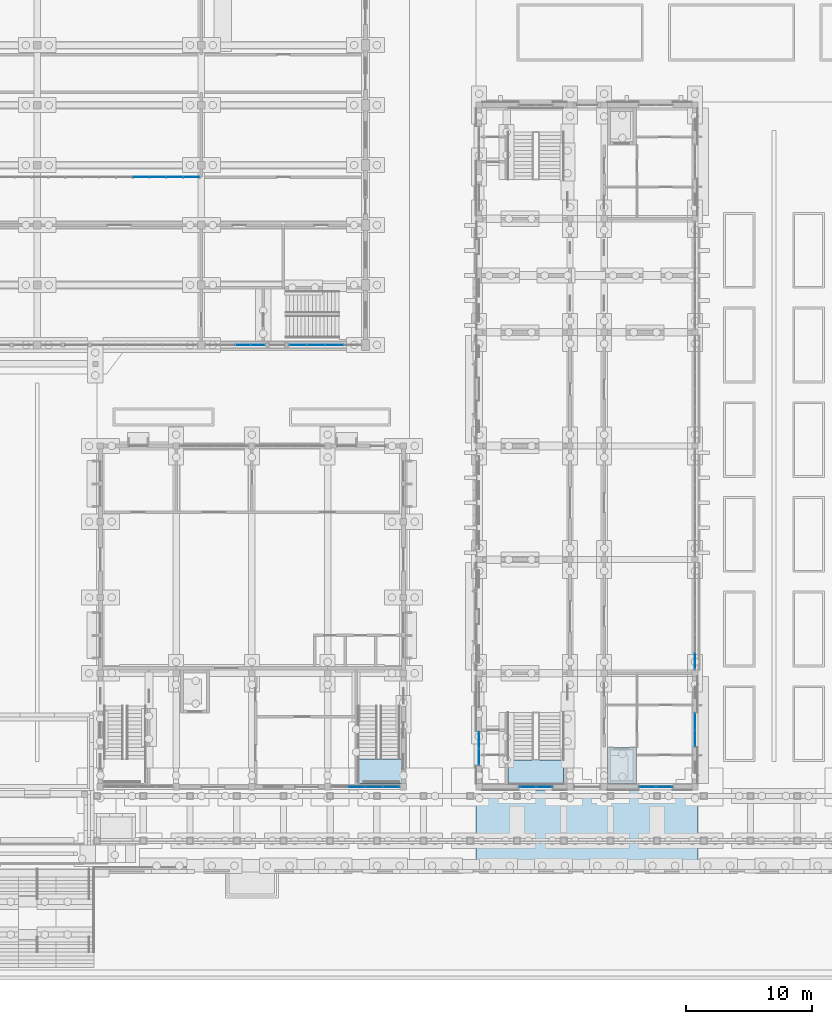
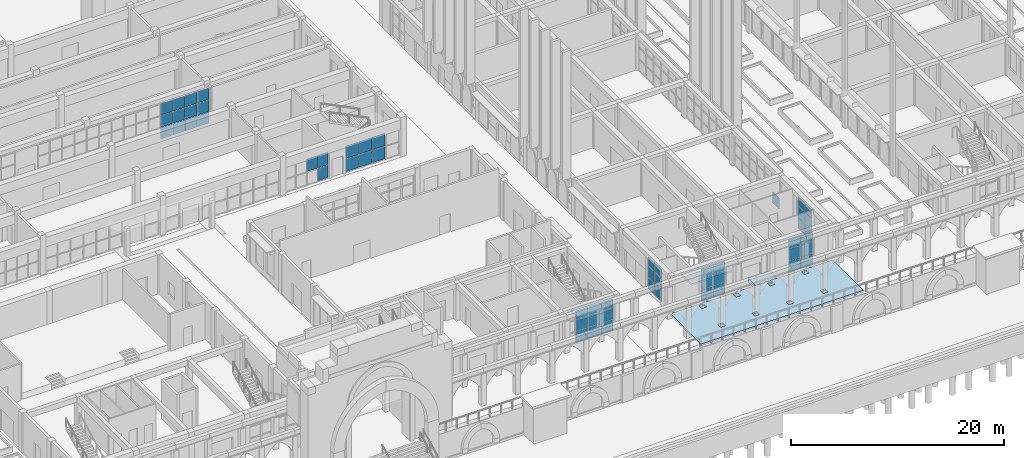
# One storey, part 43 of 161: 55 plates, 4 slabs, 11 elements without a shape of their own.
"""IFC4 building model written with IfcOpenShell, lengths in metres."""

import ifcopenshell
import ifcopenshell.guid

model = None  # the IFC model being written
_history = None  # IfcOwnerHistory: only IFC2X3 demands one
_inside = {}  # id of a spatial element -> (the spatial element, [elements in it])
_under = {}  # id of a project, library or spatial element -> (it, [spatial elements below it])
_declared = {}  # id of a project -> (the project, [libraries it declares])
_typed = {}  # id of a type object -> (the type object, [elements of that type])
_made_of = {}  # id of a material, layer set ... -> (it, [elements and type objects made of it])


def new_model(schema):
    """Start an empty IFC model of exactly this schema.

    Asked for "IFC4X3", IfcOpenShell would pick the latest addendum, in which some entities
    have other attributes; the version numbers below select the first issue.
    IFC2X3 requires an IfcOwnerHistory on every rooted entity: one is made here for all.
    """
    global model, _history
    if schema == "IFC4X3":
        model = ifcopenshell.file(schema_version=(4, 3, 0, 0))
    else:
        model = ifcopenshell.file(schema=schema)
    _inside.clear()
    _under.clear()
    _declared.clear()
    _typed.clear()
    _made_of.clear()
    _history = None
    if model.schema == "IFC2X3":
        org = make("IfcOrganization", Name="unknown")
        user = make(
            "IfcPersonAndOrganization",
            ThePerson=make("IfcPerson", FamilyName="unknown"),
            TheOrganization=org,
        )
        app = make(
            "IfcApplication",
            ApplicationDeveloper=org,
            Version="unknown",
            ApplicationFullName="unknown",
            ApplicationIdentifier="unknown",
        )
        _history = make(
            "IfcOwnerHistory",
            OwningUser=user,
            OwningApplication=app,
            ChangeAction="ADDED",
            CreationDate=0,
        )
    return model


def make(cls, **values):
    """One entity of the class cls with the attributes given. An attribute that is None is left unset."""
    return model.create_entity(
        cls, **{name: value for name, value in values.items() if value is not None}
    )


def rooted(cls, **values):
    """An entity with a GlobalId (a new one), such as an element, a storey or a relation."""
    return make(cls, GlobalId=ifcopenshell.guid.new(), OwnerHistory=_history, **values)


def si_unit(unit_type, name, prefix=None):
    """IfcSIUnit, for example si_unit("LENGTHUNIT", "METRE", prefix="MILLI")."""
    return make("IfcSIUnit", UnitType=unit_type, Prefix=prefix, Name=name)


def assignment(units):
    """IfcUnitAssignment: the units of a project."""
    return None if units is None else make("IfcUnitAssignment", Units=units)


def point(xyz):
    """IfcCartesianPoint."""
    return None if xyz is None else make("IfcCartesianPoint", Coordinates=xyz)


def direction(xyz):
    """IfcDirection."""
    return None if xyz is None else make("IfcDirection", DirectionRatios=xyz)


def frame(location, z_axis=None, x_axis=None):
    """IfcAxis2Placement3D, a coordinate frame: its origin and axes. An axis left out is left unset."""
    return make(
        "IfcAxis2Placement3D",
        Location=point(location),
        Axis=direction(z_axis),
        RefDirection=direction(x_axis),
    )


def frame_2d(location, x_axis=None):
    """IfcAxis2Placement2D, a coordinate frame in the plane: its origin and x axis."""
    return make(
        "IfcAxis2Placement2D", Location=point(location), RefDirection=direction(x_axis)
    )


def origin():
    """The frame at (0, 0, 0) with its axes left unset."""
    return frame((0.0, 0.0, 0.0))


def origin_2d():
    """The frame at (0, 0) in the plane with its x axis left unset."""
    return frame_2d((0.0, 0.0))


def place(relative_to, where):
    """IfcLocalPlacement: puts the frame where relative to a parent placement (None: the world)."""
    return make(
        "IfcLocalPlacement", PlacementRelTo=relative_to, RelativePlacement=where
    )


def context(
    kind, dimensions, precision=None, world=None, true_north=None, identifier=None
):
    """IfcGeometricRepresentationContext, for example the 3D "Model" context."""
    return make(
        "IfcGeometricRepresentationContext",
        ContextIdentifier=identifier,
        ContextType=kind,
        CoordinateSpaceDimension=dimensions,
        Precision=precision,
        WorldCoordinateSystem=world,
        TrueNorth=true_north,
    )


def subcontext(parent, identifier, kind, view, scale=None):
    """IfcGeometricRepresentationSubContext, for example "Body" below "Model"."""
    return make(
        "IfcGeometricRepresentationSubContext",
        ContextIdentifier=identifier,
        ContextType=kind,
        ParentContext=parent,
        TargetScale=scale,
        TargetView=view,
    )


def project(units=None, contexts=None):
    """IfcProject with its units and contexts."""
    return rooted(
        "IfcProject",
        Name="project",
        RepresentationContexts=contexts,
        UnitsInContext=assignment(units),
    )


def spatial(cls, under=None, at=None, **own):
    """A site, building, storey or space (cls), placed at a placement, below another one or the project."""
    s = rooted(cls, ObjectPlacement=at, **own)
    if under is not None:
        _under.setdefault(under.id(), (under, []))[1].append(s)
    return s


def polyline(points):
    """IfcPolyline through the points."""
    return make("IfcPolyline", Points=[point(p) for p in points])


def profile(cls, at=None, kind="AREA", **sizes):
    """A parametric profile (cls). Its sizes go by their IFC names, for example OverallWidth=200.0."""
    return make(cls, ProfileType=kind, Position=at, **sizes)


def rectangle(**sizes):
    """IfcRectangleProfileDef."""
    return profile("IfcRectangleProfileDef", **sizes)


def outline(outer, holes=None, kind="AREA"):
    """IfcArbitraryClosedProfileDef: a profile drawn as a closed curve; with holes, ...WithVoids."""
    if holes is None:
        return make("IfcArbitraryClosedProfileDef", ProfileType=kind, OuterCurve=outer)
    return make(
        "IfcArbitraryProfileDefWithVoids",
        ProfileType=kind,
        OuterCurve=outer,
        InnerCurves=holes,
    )


def extrude(swept, where, along, depth):
    """IfcExtrudedAreaSolid: the profile swept, set in the frame where, extruded along a direction by depth."""
    return make(
        "IfcExtrudedAreaSolid",
        SweptArea=swept,
        Position=where,
        ExtrudedDirection=direction(along),
        Depth=depth,
    )


def shape(context_of_items, identifier, shape_type, items):
    """IfcShapeRepresentation: the items that make up one representation, for example the "Body"."""
    return make(
        "IfcShapeRepresentation",
        ContextOfItems=context_of_items,
        RepresentationIdentifier=identifier,
        RepresentationType=shape_type,
        Items=items,
    )


def material(Name=None, Category=None):
    """IfcMaterial."""
    return make("IfcMaterial", Name=Name, Category=Category)


def layer(
    of_material, thickness, ventilated=None, Name=None, Category=None, Priority=None
):
    """IfcMaterialLayer: one layer of a wall or slab, of a material (None: an air gap)."""
    return make(
        "IfcMaterialLayer",
        Material=of_material,
        LayerThickness=thickness,
        IsVentilated=ventilated,
        Name=Name,
        Category=Category,
        Priority=Priority,
    )


def layer_set(layers, Name=None):
    """IfcMaterialLayerSet."""
    return make("IfcMaterialLayerSet", MaterialLayers=layers, LayerSetName=Name)


def made_of(thing, what):
    """Note that an element or type object is made of a material, layer set ...; save() writes the relation."""
    if what is not None:
        _made_of.setdefault(what.id(), (what, []))[1].append(thing)
    return thing


def type_object(cls, material=None, **own):
    """A type object (cls), such as IfcWallType, which elements share."""
    return made_of(rooted(cls, **own), material)


def element(
    cls,
    number,
    at=None,
    inside=None,
    cuts=None,
    type_object=None,
    material=None,
    context=None,
    identifier="Body",
    shape_type=None,
    held_by="IfcProductDefinitionShape",
    body=None,
    shapes=None,
    **own,
):
    """One element of the class cls, such as IfcWall. Its Tag is "e" and its number.

    at: its placement. inside: the storey or other place that contains it. cuts: it is an
    opening in that element (IfcRelVoidsElement). A single representation is given by context,
    identifier, shape_type and body (its items); several are given by shapes. held_by: the class
    of the entity that holds the representations. save() writes the other relations.
    """
    e = rooted(cls, Tag="e%d" % number, ObjectPlacement=at, **own)
    if body is not None:
        shapes = [shape(context, identifier, shape_type, body)]
    if shapes is not None:
        e.Representation = make(held_by, Representations=shapes)
    if inside is not None:
        _inside.setdefault(inside.id(), (inside, []))[1].append(e)
    if cuts is not None:
        rooted(
            "IfcRelVoidsElement", RelatingBuildingElement=cuts, RelatedOpeningElement=e
        )
    if type_object is not None:
        _typed.setdefault(type_object.id(), (type_object, []))[1].append(e)
    return made_of(e, material)


def aggregate(whole, parts):
    """IfcRelAggregates: a whole, such as a stair, and the parts it consists of."""
    return rooted("IfcRelAggregates", RelatingObject=whole, RelatedObjects=parts)


def save(model, path):
    """Write the relations noted so far, then the file.

    IfcRelAggregates (storeys below a building ...), IfcRelContainedInSpatialStructure (elements
    in a storey), IfcRelDefinesByType, IfcRelAssociatesMaterial and IfcRelDeclares: one each for
    every whole, place, type object, material and project.
    """
    for whole, parts in _under.values():
        aggregate(whole, parts)
    for where, things in _inside.values():
        rooted(
            "IfcRelContainedInSpatialStructure",
            RelatedElements=things,
            RelatingStructure=where,
        )
    for kind, things in _typed.values():
        rooted("IfcRelDefinesByType", RelatedObjects=things, RelatingType=kind)
    for what, things in _made_of.values():
        rooted("IfcRelAssociatesMaterial", RelatedObjects=things, RelatingMaterial=what)
    for by, libraries in _declared.values():
        rooted("IfcRelDeclares", RelatingContext=by, RelatedDefinitions=libraries)
    model.write(path)


model = new_model("IFC4")

# Units and contexts
model_context = context("Model", 3, precision=1e-05, world=origin(), true_north=direction((0.0, 1.0)))
body_context = subcontext(model_context, "Body", "Model", "MODEL_VIEW")
ifc_project = project(units=[si_unit("LENGTHUNIT", "METRE"), si_unit("AREAUNIT", "SQUARE_METRE"), si_unit("VOLUMEUNIT", "CUBIC_METRE"), si_unit("PLANEANGLEUNIT", "RADIAN"), si_unit("MASSUNIT", "GRAM", prefix="KILO")], contexts=[model_context])

# Site, building, storey
site_placement = place(None, origin())
site = spatial("IfcSite", under=ifc_project, at=site_placement, CompositionType="ELEMENT")
building_placement = place(site_placement, origin())
building = spatial("IfcBuilding", under=site, at=building_placement, Name="Elbe Cascade School", CompositionType="ELEMENT")
storey_placement = place(building_placement, origin())
storey = spatial("IfcBuildingStorey", under=building, at=storey_placement, Name="L00", CompositionType="ELEMENT", Elevation=0.0)

# Stair, slab
ifc_material_1 = material(Name="Concrete C30/37", Category="concrete")
stair_type_1 = type_object("IfcStairType", Name="Bar stair RC 150", PredefinedType="HALF_TURN_STAIR", material=ifc_material_1)
stair_1_placement = place(storey_placement, origin())
stair_1 = element("IfcStair", 1, at=stair_1_placement, inside=storey, type_object=stair_type_1, Name="Stair A0.S", PredefinedType="HALF_TURN_STAIR")
ifc_material_2 = material(Name="Concrete C30/37", Category="concrete")
ifc_layer_1 = layer(ifc_material_2, 0.199951171875)
ifc_layer_set_1 = layer_set([ifc_layer_1], Name="Concrete C30/37")
slab_type_1 = type_object("IfcSlabType", Name="Bar stair landing RC 200", PredefinedType="LANDING", material=ifc_layer_set_1)
slab_1_placement = place(storey_placement, frame((0.0, 0.0, 2.050048828125)))
slab_1 = element("IfcSlab", 2, at=slab_1_placement, type_object=slab_type_1, Name="ST3 landing 1", PredefinedType="LANDING", context=body_context, shape_type="SweptSolid", body=[
    extrude(outline(polyline([(71.300048828125, 6.179931640625), (75.699951171875, 6.179931640625), (75.699951171875, 8.1298828125), (71.300048828125, 8.1298828125), (71.300048828125, 6.179931640625)])), origin(), (0.0, 0.0, 1.0), 0.199951171875),
])
aggregate(stair_1, [slab_1])

# Curtain wall, plates
ifc_material_3 = material(Name="Aluminium frame with double glazing, bronze anodised", Category="aluminium")
ifc_layer_2 = layer(ifc_material_3, 0.199951171875)
ifc_layer_set_2 = layer_set([ifc_layer_2], Name="Aluminium frame with double glazing, bronze anodised")
curtain_wall_type_1 = type_object("IfcCurtainWallType", Name="Bars envelope Curtain wall, aluminium, bronze anodised, ground floor tall run", PredefinedType="NOTDEFINED", material=ifc_layer_set_2)
curtain_wall_1_placement = place(storey_placement, origin())
curtain_wall_1 = element("IfcCurtainWall", 3, at=curtain_wall_1_placement, inside=storey, type_object=curtain_wall_type_1, Name="Curtain wall CW3 A.L00.w1", PredefinedType="NOTDEFINED")
ifc_material_4 = material(Name="Glass - double glazed low-E", Category="glass")
ifc_layer_3 = layer(ifc_material_4, 0.035888671875)
ifc_layer_set_3 = layer_set([ifc_layer_3], Name="Glass - double glazed low-E")
plate_type_1 = type_object("IfcPlateType", Name="Bars envelope Curtain wall glazing panel 36 mm, double glazed, ground floor tall run", PredefinedType="CURTAIN_PANEL", material=ifc_layer_set_3)
plate_1_placement = place(storey_placement, frame((69.0, 8.3798828125, 0.06005859375), z_axis=(0.0, 0.0, 1.0), x_axis=(0.0, 1.0, 0.0)))
plate_1 = element("IfcPlate", 4, at=plate_1_placement, type_object=plate_type_1, Name="CW3 panel 1.1", PredefinedType="CURTAIN_PANEL", context=body_context, shape_type="SweptSolid", body=[
    extrude(rectangle(XDim=1.260009765625, YDim=0.035888671875, at=origin_2d()), origin(), (0.0, 0.0, 1.0), 1.260009765625),
])
plate_2_placement = place(storey_placement, frame((69.0, 8.3798828125, 1.3798828125), z_axis=(0.0, 0.0, 1.0), x_axis=(0.0, 1.0, 0.0)))
plate_2 = element("IfcPlate", 5, at=plate_2_placement, type_object=plate_type_1, Name="CW3 panel 1.2", PredefinedType="CURTAIN_PANEL", context=body_context, shape_type="SweptSolid", body=[
    extrude(rectangle(XDim=1.260009765625, YDim=0.035888671875, at=origin_2d()), origin(), (0.0, 0.0, 1.0), 1.2900390625),
])
plate_3_placement = place(storey_placement, frame((69.0, 8.3798828125, 2.72998046875), z_axis=(0.0, 0.0, 1.0), x_axis=(0.0, 1.0, 0.0)))
plate_3 = element("IfcPlate", 6, at=plate_3_placement, type_object=plate_type_1, Name="CW3 panel 1.3", PredefinedType="CURTAIN_PANEL", context=body_context, shape_type="SweptSolid", body=[
    extrude(rectangle(XDim=1.260009765625, YDim=0.035888671875, at=origin_2d()), origin(), (0.0, 0.0, 1.0), 0.9599609375),
])
plate_4_placement = place(storey_placement, frame((69.0, 9.699951171875, 0.06005859375), z_axis=(0.0, 0.0, 1.0), x_axis=(0.0, 1.0, 0.0)))
plate_4 = element("IfcPlate", 7, at=plate_4_placement, type_object=plate_type_1, Name="CW3 panel 2.1", PredefinedType="CURTAIN_PANEL", context=body_context, shape_type="SweptSolid", body=[
    extrude(rectangle(XDim=1.260009765625, YDim=0.035888671875, at=origin_2d()), origin(), (0.0, 0.0, 1.0), 1.260009765625),
])
plate_5_placement = place(storey_placement, frame((69.0, 9.699951171875, 1.3798828125), z_axis=(0.0, 0.0, 1.0), x_axis=(0.0, 1.0, 0.0)))
plate_5 = element("IfcPlate", 8, at=plate_5_placement, type_object=plate_type_1, Name="CW3 panel 2.2", PredefinedType="CURTAIN_PANEL", context=body_context, shape_type="SweptSolid", body=[
    extrude(rectangle(XDim=1.260009765625, YDim=0.035888671875, at=origin_2d()), origin(), (0.0, 0.0, 1.0), 1.2900390625),
])
plate_6_placement = place(storey_placement, frame((69.0, 9.699951171875, 2.72998046875), z_axis=(0.0, 0.0, 1.0), x_axis=(0.0, 1.0, 0.0)))
plate_6 = element("IfcPlate", 9, at=plate_6_placement, type_object=plate_type_1, Name="CW3 panel 2.3", PredefinedType="CURTAIN_PANEL", context=body_context, shape_type="SweptSolid", body=[
    extrude(rectangle(XDim=1.260009765625, YDim=0.035888671875, at=origin_2d()), origin(), (0.0, 0.0, 1.0), 0.9599609375),
])
aggregate(curtain_wall_1, [plate_1, plate_2, plate_3, plate_4, plate_5, plate_6])

curtain_wall_2_placement = place(storey_placement, origin())
curtain_wall_2 = element("IfcCurtainWall", 10, at=curtain_wall_2_placement, inside=storey, type_object=curtain_wall_type_1, Name="Curtain wall CW3 A.L00.e1", PredefinedType="NOTDEFINED")
plate_7_placement = place(storey_placement, frame((86.10009765625, 11.159912109375, 0.06005859375), z_axis=(0.0, 0.0, 1.0), x_axis=(0.0, -1.0, 0.0)))
plate_7 = element("IfcPlate", 11, at=plate_7_placement, type_object=plate_type_1, Name="CW3 panel 1.1", PredefinedType="CURTAIN_PANEL", context=body_context, shape_type="SweptSolid", body=[
    extrude(rectangle(XDim=1.260009765625, YDim=0.035888671875, at=origin_2d()), origin(), (0.0, 0.0, 1.0), 1.260009765625),
])
plate_8_placement = place(storey_placement, frame((86.10009765625, 11.159912109375, 1.3798828125), z_axis=(0.0, 0.0, 1.0), x_axis=(0.0, -1.0, 0.0)))
plate_8 = element("IfcPlate", 12, at=plate_8_placement, type_object=plate_type_1, Name="CW3 panel 1.2", PredefinedType="CURTAIN_PANEL", context=body_context, shape_type="SweptSolid", body=[
    extrude(rectangle(XDim=1.260009765625, YDim=0.035888671875, at=origin_2d()), origin(), (0.0, 0.0, 1.0), 1.2900390625),
])
plate_9_placement = place(storey_placement, frame((86.10009765625, 11.159912109375, 2.72998046875), z_axis=(0.0, 0.0, 1.0), x_axis=(0.0, -1.0, 0.0)))
plate_9 = element("IfcPlate", 13, at=plate_9_placement, type_object=plate_type_1, Name="CW3 panel 1.3", PredefinedType="CURTAIN_PANEL", context=body_context, shape_type="SweptSolid", body=[
    extrude(rectangle(XDim=1.260009765625, YDim=0.035888671875, at=origin_2d()), origin(), (0.0, 0.0, 1.0), 0.9599609375),
])
plate_10_placement = place(storey_placement, frame((86.10009765625, 9.840087890625, 0.06005859375), z_axis=(0.0, 0.0, 1.0), x_axis=(0.0, -1.0, 0.0)))
plate_10 = element("IfcPlate", 14, at=plate_10_placement, type_object=plate_type_1, Name="CW3 panel 2.1", PredefinedType="CURTAIN_PANEL", context=body_context, shape_type="SweptSolid", body=[
    extrude(rectangle(XDim=1.260009765625, YDim=0.035888671875, at=origin_2d()), origin(), (0.0, 0.0, 1.0), 1.260009765625),
])
plate_11_placement = place(storey_placement, frame((86.10009765625, 9.840087890625, 1.3798828125), z_axis=(0.0, 0.0, 1.0), x_axis=(0.0, -1.0, 0.0)))
plate_11 = element("IfcPlate", 15, at=plate_11_placement, type_object=plate_type_1, Name="CW3 panel 2.2", PredefinedType="CURTAIN_PANEL", context=body_context, shape_type="SweptSolid", body=[
    extrude(rectangle(XDim=1.260009765625, YDim=0.035888671875, at=origin_2d()), origin(), (0.0, 0.0, 1.0), 1.2900390625),
])
plate_12_placement = place(storey_placement, frame((86.10009765625, 9.840087890625, 2.72998046875), z_axis=(0.0, 0.0, 1.0), x_axis=(0.0, -1.0, 0.0)))
plate_12 = element("IfcPlate", 16, at=plate_12_placement, type_object=plate_type_1, Name="CW3 panel 2.3", PredefinedType="CURTAIN_PANEL", context=body_context, shape_type="SweptSolid", body=[
    extrude(rectangle(XDim=1.260009765625, YDim=0.035888671875, at=origin_2d()), origin(), (0.0, 0.0, 1.0), 0.9599609375),
])
aggregate(curtain_wall_2, [plate_7, plate_8, plate_9, plate_10, plate_11, plate_12])

# Curtain wall, plate
curtain_wall_3_placement = place(storey_placement, origin())
curtain_wall_3 = element("IfcCurtainWall", 17, at=curtain_wall_3_placement, inside=storey, type_object=curtain_wall_type_1, Name="Curtain wall CW3 A.L00.e2", PredefinedType="NOTDEFINED")
plate_13_placement = place(storey_placement, frame((86.10009765625, 15.973388671875, 0.06005859375), z_axis=(0.0, 0.0, 1.0), x_axis=(0.0, -1.0, 0.0)))
plate_13 = element("IfcPlate", 18, at=plate_13_placement, type_object=plate_type_1, Name="CW3 panel 6.1", PredefinedType="CURTAIN_PANEL", context=body_context, shape_type="SweptSolid", body=[
    extrude(rectangle(XDim=1.32666015625, YDim=0.035888671875, at=origin_2d()), origin(), (0.0, 0.0, 1.0), 1.260009765625),
])
aggregate(curtain_wall_3, [plate_13])

# Curtain wall, plates
curtain_wall_4_placement = place(storey_placement, origin())
curtain_wall_4 = element("IfcCurtainWall", 19, at=curtain_wall_4_placement, inside=storey, type_object=curtain_wall_type_1, Name="Curtain wall CW3 A.L00.s1", PredefinedType="NOTDEFINED")
plate_14_placement = place(storey_placement, frame((74.159912109375, 6.0, 0.06005859375), z_axis=(0.0, 0.0, 1.0), x_axis=(-1.0, 0.0, 0.0)))
plate_14 = element("IfcPlate", 20, at=plate_14_placement, type_object=plate_type_1, Name="CW3 panel 1.1", PredefinedType="CURTAIN_PANEL", context=body_context, shape_type="SweptSolid", body=[
    extrude(rectangle(XDim=1.260009765625, YDim=0.035888671875, at=origin_2d()), origin(), (0.0, 0.0, 1.0), 1.260009765625),
])
plate_15_placement = place(storey_placement, frame((74.159912109375, 6.0, 1.3798828125), z_axis=(0.0, 0.0, 1.0), x_axis=(-1.0, 0.0, 0.0)))
plate_15 = element("IfcPlate", 21, at=plate_15_placement, type_object=plate_type_1, Name="CW3 panel 1.2", PredefinedType="CURTAIN_PANEL", context=body_context, shape_type="SweptSolid", body=[
    extrude(rectangle(XDim=1.260009765625, YDim=0.035888671875, at=origin_2d()), origin(), (0.0, 0.0, 1.0), 1.2900390625),
])
plate_16_placement = place(storey_placement, frame((74.159912109375, 6.0, 2.72998046875), z_axis=(0.0, 0.0, 1.0), x_axis=(-1.0, 0.0, 0.0)))
plate_16 = element("IfcPlate", 22, at=plate_16_placement, type_object=plate_type_1, Name="CW3 panel 1.3", PredefinedType="CURTAIN_PANEL", context=body_context, shape_type="SweptSolid", body=[
    extrude(rectangle(XDim=1.260009765625, YDim=0.035888671875, at=origin_2d()), origin(), (0.0, 0.0, 1.0), 1.010009765625),
])
plate_17_placement = place(storey_placement, frame((72.840087890625, 6.0, 0.06005859375), z_axis=(0.0, 0.0, 1.0), x_axis=(-1.0, 0.0, 0.0)))
plate_17 = element("IfcPlate", 23, at=plate_17_placement, type_object=plate_type_1, Name="CW3 panel 2.1", PredefinedType="CURTAIN_PANEL", context=body_context, shape_type="SweptSolid", body=[
    extrude(rectangle(XDim=1.260009765625, YDim=0.035888671875, at=origin_2d()), origin(), (0.0, 0.0, 1.0), 1.260009765625),
])
plate_18_placement = place(storey_placement, frame((72.840087890625, 6.0, 1.3798828125), z_axis=(0.0, 0.0, 1.0), x_axis=(-1.0, 0.0, 0.0)))
plate_18 = element("IfcPlate", 24, at=plate_18_placement, type_object=plate_type_1, Name="CW3 panel 2.2", PredefinedType="CURTAIN_PANEL", context=body_context, shape_type="SweptSolid", body=[
    extrude(rectangle(XDim=1.260009765625, YDim=0.035888671875, at=origin_2d()), origin(), (0.0, 0.0, 1.0), 1.2900390625),
])
plate_19_placement = place(storey_placement, frame((72.840087890625, 6.0, 2.72998046875), z_axis=(0.0, 0.0, 1.0), x_axis=(-1.0, 0.0, 0.0)))
plate_19 = element("IfcPlate", 25, at=plate_19_placement, type_object=plate_type_1, Name="CW3 panel 2.3", PredefinedType="CURTAIN_PANEL", context=body_context, shape_type="SweptSolid", body=[
    extrude(rectangle(XDim=1.260009765625, YDim=0.035888671875, at=origin_2d()), origin(), (0.0, 0.0, 1.0), 1.010009765625),
])
aggregate(curtain_wall_4, [plate_14, plate_15, plate_16, plate_17, plate_18, plate_19])

curtain_wall_5_placement = place(storey_placement, origin())
curtain_wall_5 = element("IfcCurtainWall", 26, at=curtain_wall_5_placement, inside=storey, type_object=curtain_wall_type_1, Name="Curtain wall CW3 A.L00.s3", PredefinedType="NOTDEFINED")
plate_20_placement = place(storey_placement, frame((83.659912109375, 6.0, 0.06005859375), z_axis=(0.0, 0.0, 1.0), x_axis=(-1.0, 0.0, 0.0)))
plate_20 = element("IfcPlate", 27, at=plate_20_placement, type_object=plate_type_1, Name="CW3 panel 1.1", PredefinedType="CURTAIN_PANEL", context=body_context, shape_type="SweptSolid", body=[
    extrude(rectangle(XDim=1.260009765625, YDim=0.035888671875, at=origin_2d()), origin(), (0.0, 0.0, 1.0), 1.260009765625),
])
plate_21_placement = place(storey_placement, frame((83.659912109375, 6.0, 1.3798828125), z_axis=(0.0, 0.0, 1.0), x_axis=(-1.0, 0.0, 0.0)))
plate_21 = element("IfcPlate", 28, at=plate_21_placement, type_object=plate_type_1, Name="CW3 panel 1.2", PredefinedType="CURTAIN_PANEL", context=body_context, shape_type="SweptSolid", body=[
    extrude(rectangle(XDim=1.260009765625, YDim=0.035888671875, at=origin_2d()), origin(), (0.0, 0.0, 1.0), 1.2900390625),
])
plate_22_placement = place(storey_placement, frame((83.659912109375, 6.0, 2.72998046875), z_axis=(0.0, 0.0, 1.0), x_axis=(-1.0, 0.0, 0.0)))
plate_22 = element("IfcPlate", 29, at=plate_22_placement, type_object=plate_type_1, Name="CW3 panel 1.3", PredefinedType="CURTAIN_PANEL", context=body_context, shape_type="SweptSolid", body=[
    extrude(rectangle(XDim=1.260009765625, YDim=0.035888671875, at=origin_2d()), origin(), (0.0, 0.0, 1.0), 1.010009765625),
])
plate_23_placement = place(storey_placement, frame((82.340087890625, 6.0, 0.06005859375), z_axis=(0.0, 0.0, 1.0), x_axis=(-1.0, 0.0, 0.0)))
plate_23 = element("IfcPlate", 30, at=plate_23_placement, type_object=plate_type_1, Name="CW3 panel 2.1", PredefinedType="CURTAIN_PANEL", context=body_context, shape_type="SweptSolid", body=[
    extrude(rectangle(XDim=1.260009765625, YDim=0.035888671875, at=origin_2d()), origin(), (0.0, 0.0, 1.0), 1.260009765625),
])
plate_24_placement = place(storey_placement, frame((82.340087890625, 6.0, 1.3798828125), z_axis=(0.0, 0.0, 1.0), x_axis=(-1.0, 0.0, 0.0)))
plate_24 = element("IfcPlate", 31, at=plate_24_placement, type_object=plate_type_1, Name="CW3 panel 2.2", PredefinedType="CURTAIN_PANEL", context=body_context, shape_type="SweptSolid", body=[
    extrude(rectangle(XDim=1.260009765625, YDim=0.035888671875, at=origin_2d()), origin(), (0.0, 0.0, 1.0), 1.2900390625),
])
plate_25_placement = place(storey_placement, frame((82.340087890625, 6.0, 2.72998046875), z_axis=(0.0, 0.0, 1.0), x_axis=(-1.0, 0.0, 0.0)))
plate_25 = element("IfcPlate", 32, at=plate_25_placement, type_object=plate_type_1, Name="CW3 panel 2.3", PredefinedType="CURTAIN_PANEL", context=body_context, shape_type="SweptSolid", body=[
    extrude(rectangle(XDim=1.260009765625, YDim=0.035888671875, at=origin_2d()), origin(), (0.0, 0.0, 1.0), 1.010009765625),
])
aggregate(curtain_wall_5, [plate_20, plate_21, plate_22, plate_23, plate_24, plate_25])

ifc_material_5 = material(Name="Cafe curtain wall")
curtain_wall_type_2 = type_object("IfcCurtainWallType", Name="Cafe curtain wall", PredefinedType="NOTDEFINED", material=ifc_material_5)
curtain_wall_6_placement = place(storey_placement, origin())
curtain_wall_6 = element("IfcCurtainWall", 33, at=curtain_wall_6_placement, inside=storey, type_object=curtain_wall_type_2, Name="Curtain wall CW1 DI.L00.cw.s3", PredefinedType="NOTDEFINED")
ifc_material_6 = material(Name="Glass - double glazed low-E", Category="glass")
ifc_layer_4 = layer(ifc_material_6, 0.028076171875)
ifc_layer_set_4 = layer_set([ifc_layer_4], Name="Glass - double glazed low-E")
plate_type_2 = type_object("IfcPlateType", Name="Cafe curtain wall glazing panel 28", PredefinedType="CURTAIN_PANEL", material=ifc_layer_set_4)
plate_26_placement = place(storey_placement, frame((59.3125, 6.0, 0.06005859375), z_axis=(0.0, 0.0, 1.0), x_axis=(1.0, 0.0, 0.0)))
plate_26 = element("IfcPlate", 34, at=plate_26_placement, type_object=plate_type_2, Name="CW1 panel 2.1", PredefinedType="CURTAIN_PANEL", context=body_context, shape_type="SweptSolid", body=[
    extrude(rectangle(XDim=1.31494140625, YDim=0.028076171875, at=origin_2d()), origin(), (0.0, 0.0, 1.0), 1.260009765625),
])
plate_27_placement = place(storey_placement, frame((59.3125, 6.0, 1.3798828125), z_axis=(0.0, 0.0, 1.0), x_axis=(1.0, 0.0, 0.0)))
plate_27 = element("IfcPlate", 35, at=plate_27_placement, type_object=plate_type_2, Name="CW1 panel 2.2", PredefinedType="CURTAIN_PANEL", context=body_context, shape_type="SweptSolid", body=[
    extrude(rectangle(XDim=1.31494140625, YDim=0.028076171875, at=origin_2d()), origin(), (0.0, 0.0, 1.0), 1.2900390625),
])
plate_28_placement = place(storey_placement, frame((59.3125, 6.0, 2.72998046875), z_axis=(0.0, 0.0, 1.0), x_axis=(1.0, 0.0, 0.0)))
plate_28 = element("IfcPlate", 36, at=plate_28_placement, type_object=plate_type_2, Name="CW1 panel 2.3", PredefinedType="CURTAIN_PANEL", context=body_context, shape_type="SweptSolid", body=[
    extrude(rectangle(XDim=1.31494140625, YDim=0.028076171875, at=origin_2d()), origin(), (0.0, 0.0, 1.0), 0.9599609375),
])
plate_29_placement = place(storey_placement, frame((60.6875, 6.0, 0.06005859375), z_axis=(0.0, 0.0, 1.0), x_axis=(1.0, 0.0, 0.0)))
plate_29 = element("IfcPlate", 37, at=plate_29_placement, type_object=plate_type_2, Name="CW1 panel 3.1", PredefinedType="CURTAIN_PANEL", context=body_context, shape_type="SweptSolid", body=[
    extrude(rectangle(XDim=1.31494140625, YDim=0.028076171875, at=origin_2d()), origin(), (0.0, 0.0, 1.0), 1.260009765625),
])
plate_30_placement = place(storey_placement, frame((60.6875, 6.0, 1.3798828125), z_axis=(0.0, 0.0, 1.0), x_axis=(1.0, 0.0, 0.0)))
plate_30 = element("IfcPlate", 38, at=plate_30_placement, type_object=plate_type_2, Name="CW1 panel 3.2", PredefinedType="CURTAIN_PANEL", context=body_context, shape_type="SweptSolid", body=[
    extrude(rectangle(XDim=1.31494140625, YDim=0.028076171875, at=origin_2d()), origin(), (0.0, 0.0, 1.0), 1.2900390625),
])
plate_31_placement = place(storey_placement, frame((60.6875, 6.0, 2.72998046875), z_axis=(0.0, 0.0, 1.0), x_axis=(1.0, 0.0, 0.0)))
plate_31 = element("IfcPlate", 39, at=plate_31_placement, type_object=plate_type_2, Name="CW1 panel 3.3", PredefinedType="CURTAIN_PANEL", context=body_context, shape_type="SweptSolid", body=[
    extrude(rectangle(XDim=1.31494140625, YDim=0.028076171875, at=origin_2d()), origin(), (0.0, 0.0, 1.0), 0.9599609375),
])
plate_32_placement = place(storey_placement, frame((62.047607421875, 6.0, 0.06005859375), z_axis=(0.0, 0.0, 1.0), x_axis=(1.0, 0.0, 0.0)))
plate_32 = element("IfcPlate", 40, at=plate_32_placement, type_object=plate_type_2, Name="CW1 panel 4.1", PredefinedType="CURTAIN_PANEL", context=body_context, shape_type="SweptSolid", body=[
    extrude(rectangle(XDim=1.284912109375, YDim=0.028076171875, at=origin_2d()), origin(), (0.0, 0.0, 1.0), 1.260009765625),
])
plate_33_placement = place(storey_placement, frame((62.047607421875, 6.0, 1.3798828125), z_axis=(0.0, 0.0, 1.0), x_axis=(1.0, 0.0, 0.0)))
plate_33 = element("IfcPlate", 41, at=plate_33_placement, type_object=plate_type_2, Name="CW1 panel 4.2", PredefinedType="CURTAIN_PANEL", context=body_context, shape_type="SweptSolid", body=[
    extrude(rectangle(XDim=1.284912109375, YDim=0.028076171875, at=origin_2d()), origin(), (0.0, 0.0, 1.0), 1.2900390625),
])
plate_34_placement = place(storey_placement, frame((62.047607421875, 6.0, 2.72998046875), z_axis=(0.0, 0.0, 1.0), x_axis=(1.0, 0.0, 0.0)))
plate_34 = element("IfcPlate", 42, at=plate_34_placement, type_object=plate_type_2, Name="CW1 panel 4.3", PredefinedType="CURTAIN_PANEL", context=body_context, shape_type="SweptSolid", body=[
    extrude(rectangle(XDim=1.284912109375, YDim=0.028076171875, at=origin_2d()), origin(), (0.0, 0.0, 1.0), 0.9599609375),
])
aggregate(curtain_wall_6, [plate_26, plate_27, plate_28, plate_29, plate_30, plate_31, plate_32, plate_33, plate_34])

# Stair, slab
ifc_material_7 = material(Name="Concrete C30/37", Category="concrete")
stair_type_2 = type_object("IfcStairType", Name="Cafe wing dogleg stair", PredefinedType="HALF_TURN_STAIR", material=ifc_material_7)
stair_2_placement = place(storey_placement, origin())
stair_2 = element("IfcStair", 43, at=stair_2_placement, inside=storey, type_object=stair_type_2, Name="Cafe wing dogleg stair ST7", PredefinedType="HALF_TURN_STAIR")
ifc_material_8 = material(Name="Concrete C30/37", Category="concrete")
ifc_layer_5 = layer(ifc_material_8, 0.199951171875)
ifc_layer_set_5 = layer_set([ifc_layer_5], Name="Concrete C30/37")
slab_type_2 = type_object("IfcSlabType", Name="Cafe wing stair landing", PredefinedType="LANDING", material=ifc_layer_set_5)
slab_2_placement = place(storey_placement, frame((0.0, 0.0, 2.050048828125)))
slab_2 = element("IfcSlab", 44, at=slab_2_placement, type_object=slab_type_2, Name="ST7 landing 1", PredefinedType="LANDING", context=body_context, shape_type="SweptSolid", body=[
    extrude(outline(polyline([(59.35009765625, 6.25), (62.85009765625, 6.25), (62.85009765625, 8.199951171875), (59.35009765625, 8.199951171875), (59.35009765625, 6.25)])), origin(), (0.0, 0.0, 1.0), 0.199951171875),
])
aggregate(stair_2, [slab_2])

# Curtain wall, plates
ifc_material_9 = material(Name="Glass - double glazed low-E", Category="glass")
curtain_wall_type_3 = type_object("IfcCurtainWallType", Name="Hall gable curtain wall", PredefinedType="NOTDEFINED", material=ifc_material_9)
curtain_wall_7_placement = place(storey_placement, origin())
curtain_wall_7 = element("IfcCurtainWall", 45, at=curtain_wall_7_placement, inside=storey, type_object=curtain_wall_type_3, Name="Entrance front curtain wall 7", PredefinedType="NOTDEFINED")
ifc_material_10 = material(Name="Glass - double glazed low-E", Category="glass")
ifc_layer_6 = layer(ifc_material_10, 0.028076171875)
ifc_layer_set_6 = layer_set([ifc_layer_6], Name="Glass - double glazed low-E")
plate_type_3 = type_object("IfcPlateType", Name="Hall gable glass panel", PredefinedType="CURTAIN_PANEL", material=ifc_layer_set_6)
plate_35_placement = place(storey_placement, frame((50.300048828125, 41.0, 1.554931640625), z_axis=(0.0, 0.0, 1.0), x_axis=(1.0, 0.0, 0.0)))
plate_35 = element("IfcPlate", 46, at=plate_35_placement, type_object=plate_type_3, Name="CW6 panel 3.2", PredefinedType="CURTAIN_PANEL", context=body_context, shape_type="SweptSolid", body=[
    extrude(rectangle(XDim=1.139892578125, YDim=0.028076171875, at=origin_2d()), origin(), (0.0, 0.0, 1.0), 1.43505859375),
])
plate_36_placement = place(storey_placement, frame((51.485107421875, 41.0, 0.06005859375), z_axis=(0.0, 0.0, 1.0), x_axis=(1.0, 0.0, 0.0)))
plate_36 = element("IfcPlate", 47, at=plate_36_placement, type_object=plate_type_3, Name="CW6 panel 4.1", PredefinedType="CURTAIN_PANEL", context=body_context, shape_type="SweptSolid", body=[
    extrude(rectangle(XDim=1.110107421875, YDim=0.028076171875, at=origin_2d()), origin(), (0.0, 0.0, 1.0), 1.43505859375),
])
plate_37_placement = place(storey_placement, frame((51.485107421875, 41.0, 1.554931640625), z_axis=(0.0, 0.0, 1.0), x_axis=(1.0, 0.0, 0.0)))
plate_37 = element("IfcPlate", 48, at=plate_37_placement, type_object=plate_type_3, Name="CW6 panel 4.2", PredefinedType="CURTAIN_PANEL", context=body_context, shape_type="SweptSolid", body=[
    extrude(rectangle(XDim=1.110107421875, YDim=0.028076171875, at=origin_2d()), origin(), (0.0, 0.0, 1.0), 1.43505859375),
])
aggregate(curtain_wall_7, [plate_35, plate_36, plate_37])

curtain_wall_8_placement = place(storey_placement, origin())
curtain_wall_8 = element("IfcCurtainWall", 49, at=curtain_wall_8_placement, inside=storey, type_object=curtain_wall_type_3, Name="Entrance front curtain wall 8", PredefinedType="NOTDEFINED")
plate_38_placement = place(storey_placement, frame((54.639892578125, 41.0, 0.06005859375), z_axis=(0.0, 0.0, 1.0), x_axis=(1.0, 0.0, 0.0)))
plate_38 = element("IfcPlate", 50, at=plate_38_placement, type_object=plate_type_3, Name="CW6 panel 1.1", PredefinedType="CURTAIN_PANEL", context=body_context, shape_type="SweptSolid", body=[
    extrude(rectangle(XDim=1.360107421875, YDim=0.028076171875, at=origin_2d()), origin(), (0.0, 0.0, 1.0), 1.43505859375),
])
plate_39_placement = place(storey_placement, frame((54.639892578125, 41.0, 1.554931640625), z_axis=(0.0, 0.0, 1.0), x_axis=(1.0, 0.0, 0.0)))
plate_39 = element("IfcPlate", 51, at=plate_39_placement, type_object=plate_type_3, Name="CW6 panel 1.2", PredefinedType="CURTAIN_PANEL", context=body_context, shape_type="SweptSolid", body=[
    extrude(rectangle(XDim=1.360107421875, YDim=0.028076171875, at=origin_2d()), origin(), (0.0, 0.0, 1.0), 1.43505859375),
])
plate_40_placement = place(storey_placement, frame((56.074951171875, 41.0, 0.06005859375), z_axis=(0.0, 0.0, 1.0), x_axis=(1.0, 0.0, 0.0)))
plate_40 = element("IfcPlate", 52, at=plate_40_placement, type_object=plate_type_3, Name="CW6 panel 2.1", PredefinedType="CURTAIN_PANEL", context=body_context, shape_type="SweptSolid", body=[
    extrude(rectangle(XDim=1.389892578125, YDim=0.028076171875, at=origin_2d()), origin(), (0.0, 0.0, 1.0), 1.43505859375),
])
plate_41_placement = place(storey_placement, frame((56.074951171875, 41.0, 1.554931640625), z_axis=(0.0, 0.0, 1.0), x_axis=(1.0, 0.0, 0.0)))
plate_41 = element("IfcPlate", 53, at=plate_41_placement, type_object=plate_type_3, Name="CW6 panel 2.2", PredefinedType="CURTAIN_PANEL", context=body_context, shape_type="SweptSolid", body=[
    extrude(rectangle(XDim=1.389892578125, YDim=0.028076171875, at=origin_2d()), origin(), (0.0, 0.0, 1.0), 1.43505859375),
])
plate_42_placement = place(storey_placement, frame((57.52490234375, 41.0, 0.06005859375), z_axis=(0.0, 0.0, 1.0), x_axis=(1.0, 0.0, 0.0)))
plate_42 = element("IfcPlate", 54, at=plate_42_placement, type_object=plate_type_3, Name="CW6 panel 3.1", PredefinedType="CURTAIN_PANEL", context=body_context, shape_type="SweptSolid", body=[
    extrude(rectangle(XDim=1.389892578125, YDim=0.028076171875, at=origin_2d()), origin(), (0.0, 0.0, 1.0), 1.43505859375),
])
plate_43_placement = place(storey_placement, frame((57.52490234375, 41.0, 1.554931640625), z_axis=(0.0, 0.0, 1.0), x_axis=(1.0, 0.0, 0.0)))
plate_43 = element("IfcPlate", 55, at=plate_43_placement, type_object=plate_type_3, Name="CW6 panel 3.2", PredefinedType="CURTAIN_PANEL", context=body_context, shape_type="SweptSolid", body=[
    extrude(rectangle(XDim=1.389892578125, YDim=0.028076171875, at=origin_2d()), origin(), (0.0, 0.0, 1.0), 1.43505859375),
])
aggregate(curtain_wall_8, [plate_38, plate_39, plate_40, plate_41, plate_42, plate_43])

curtain_wall_9_placement = place(storey_placement, origin())
curtain_wall_9 = element("IfcCurtainWall", 56, at=curtain_wall_9_placement, inside=storey, type_object=curtain_wall_type_3, Name="Studio front curtain wall 2", PredefinedType="NOTDEFINED")
plate_44_placement = place(storey_placement, frame((42.22509765625, 54.300048828125, 0.06005859375), z_axis=(0.0, 0.0, 1.0), x_axis=(1.0, 0.0, 0.0)))
plate_44 = element("IfcPlate", 57, at=plate_44_placement, type_object=plate_type_3, Name="CW6 panel 11.1", PredefinedType="CURTAIN_PANEL", context=body_context, shape_type="SweptSolid", body=[
    extrude(rectangle(XDim=1.275634765625, YDim=0.028076171875, at=origin_2d()), origin(), (0.0, 0.0, 1.0), 1.293212890625),
])
plate_45_placement = place(storey_placement, frame((42.22509765625, 54.300048828125, 1.4130859375), z_axis=(0.0, 0.0, 1.0), x_axis=(1.0, 0.0, 0.0)))
plate_45 = element("IfcPlate", 58, at=plate_45_placement, type_object=plate_type_3, Name="CW6 panel 11.2", PredefinedType="CURTAIN_PANEL", context=body_context, shape_type="SweptSolid", body=[
    extrude(rectangle(XDim=1.275634765625, YDim=0.028076171875, at=origin_2d()), origin(), (0.0, 0.0, 1.0), 1.323486328125),
])
plate_46_placement = place(storey_placement, frame((42.22509765625, 54.300048828125, 2.796875), z_axis=(0.0, 0.0, 1.0), x_axis=(1.0, 0.0, 0.0)))
plate_46 = element("IfcPlate", 59, at=plate_46_placement, type_object=plate_type_3, Name="CW6 panel 11.3", PredefinedType="CURTAIN_PANEL", context=body_context, shape_type="SweptSolid", body=[
    extrude(rectangle(XDim=1.275634765625, YDim=0.028076171875, at=origin_2d()), origin(), (0.0, 0.0, 1.0), 1.293212890625),
])
plate_47_placement = place(storey_placement, frame((43.560791015625, 54.300048828125, 0.06005859375), z_axis=(0.0, 0.0, 1.0), x_axis=(1.0, 0.0, 0.0)))
plate_47 = element("IfcPlate", 60, at=plate_47_placement, type_object=plate_type_3, Name="CW6 panel 12.1", PredefinedType="CURTAIN_PANEL", context=body_context, shape_type="SweptSolid", body=[
    extrude(rectangle(XDim=1.275634765625, YDim=0.028076171875, at=origin_2d()), origin(), (0.0, 0.0, 1.0), 1.293212890625),
])
plate_48_placement = place(storey_placement, frame((43.560791015625, 54.300048828125, 1.4130859375), z_axis=(0.0, 0.0, 1.0), x_axis=(1.0, 0.0, 0.0)))
plate_48 = element("IfcPlate", 61, at=plate_48_placement, type_object=plate_type_3, Name="CW6 panel 12.2", PredefinedType="CURTAIN_PANEL", context=body_context, shape_type="SweptSolid", body=[
    extrude(rectangle(XDim=1.275634765625, YDim=0.028076171875, at=origin_2d()), origin(), (0.0, 0.0, 1.0), 1.323486328125),
])
plate_49_placement = place(storey_placement, frame((43.560791015625, 54.300048828125, 2.796875), z_axis=(0.0, 0.0, 1.0), x_axis=(1.0, 0.0, 0.0)))
plate_49 = element("IfcPlate", 62, at=plate_49_placement, type_object=plate_type_3, Name="CW6 panel 12.3", PredefinedType="CURTAIN_PANEL", context=body_context, shape_type="SweptSolid", body=[
    extrude(rectangle(XDim=1.275634765625, YDim=0.028076171875, at=origin_2d()), origin(), (0.0, 0.0, 1.0), 1.293212890625),
])
plate_50_placement = place(storey_placement, frame((44.896484375, 54.300048828125, 0.06005859375), z_axis=(0.0, 0.0, 1.0), x_axis=(1.0, 0.0, 0.0)))
plate_50 = element("IfcPlate", 63, at=plate_50_placement, type_object=plate_type_3, Name="CW6 panel 13.1", PredefinedType="CURTAIN_PANEL", context=body_context, shape_type="SweptSolid", body=[
    extrude(rectangle(XDim=1.275634765625, YDim=0.028076171875, at=origin_2d()), origin(), (0.0, 0.0, 1.0), 1.293212890625),
])
plate_51_placement = place(storey_placement, frame((44.896484375, 54.300048828125, 1.4130859375), z_axis=(0.0, 0.0, 1.0), x_axis=(1.0, 0.0, 0.0)))
plate_51 = element("IfcPlate", 64, at=plate_51_placement, type_object=plate_type_3, Name="CW6 panel 13.2", PredefinedType="CURTAIN_PANEL", context=body_context, shape_type="SweptSolid", body=[
    extrude(rectangle(XDim=1.275634765625, YDim=0.028076171875, at=origin_2d()), origin(), (0.0, 0.0, 1.0), 1.323486328125),
])
plate_52_placement = place(storey_placement, frame((44.896484375, 54.300048828125, 2.796875), z_axis=(0.0, 0.0, 1.0), x_axis=(1.0, 0.0, 0.0)))
plate_52 = element("IfcPlate", 65, at=plate_52_placement, type_object=plate_type_3, Name="CW6 panel 13.3", PredefinedType="CURTAIN_PANEL", context=body_context, shape_type="SweptSolid", body=[
    extrude(rectangle(XDim=1.275634765625, YDim=0.028076171875, at=origin_2d()), origin(), (0.0, 0.0, 1.0), 1.293212890625),
])
plate_53_placement = place(storey_placement, frame((46.217041015625, 54.300048828125, 0.06005859375), z_axis=(0.0, 0.0, 1.0), x_axis=(1.0, 0.0, 0.0)))
plate_53 = element("IfcPlate", 66, at=plate_53_placement, type_object=plate_type_3, Name="CW6 panel 14.1", PredefinedType="CURTAIN_PANEL", context=body_context, shape_type="SweptSolid", body=[
    extrude(rectangle(XDim=1.24560546875, YDim=0.028076171875, at=origin_2d()), origin(), (0.0, 0.0, 1.0), 1.293212890625),
])
plate_54_placement = place(storey_placement, frame((46.217041015625, 54.300048828125, 1.4130859375), z_axis=(0.0, 0.0, 1.0), x_axis=(1.0, 0.0, 0.0)))
plate_54 = element("IfcPlate", 67, at=plate_54_placement, type_object=plate_type_3, Name="CW6 panel 14.2", PredefinedType="CURTAIN_PANEL", context=body_context, shape_type="SweptSolid", body=[
    extrude(rectangle(XDim=1.24560546875, YDim=0.028076171875, at=origin_2d()), origin(), (0.0, 0.0, 1.0), 1.323486328125),
])
plate_55_placement = place(storey_placement, frame((46.217041015625, 54.300048828125, 2.796875), z_axis=(0.0, 0.0, 1.0), x_axis=(1.0, 0.0, 0.0)))
plate_55 = element("IfcPlate", 68, at=plate_55_placement, type_object=plate_type_3, Name="CW6 panel 14.3", PredefinedType="CURTAIN_PANEL", context=body_context, shape_type="SweptSolid", body=[
    extrude(rectangle(XDim=1.24560546875, YDim=0.028076171875, at=origin_2d()), origin(), (0.0, 0.0, 1.0), 1.293212890625),
])
aggregate(curtain_wall_9, [plate_44, plate_45, plate_46, plate_47, plate_48, plate_49, plate_50, plate_51, plate_52, plate_53, plate_54, plate_55])

# Slabs
ifc_material_11 = material(Name="Concrete C35/45", Category="concrete")
ifc_layer_7 = layer(ifc_material_11, 0.5)
ifc_layer_set_7 = layer_set([ifc_layer_7], Name="Concrete C35/45")
slab_type_3 = type_object("IfcSlabType", Name="Lift pit slab 500", PredefinedType="BASESLAB", material=ifc_layer_set_7)
slab_3_placement = place(storey_placement, frame((0.0, 0.0, -2.10009765625)))
element("IfcSlab", 69, at=slab_3_placement, inside=storey, type_object=slab_type_3, Name="Lift pit slab 500 S5", PredefinedType="BASESLAB", context=body_context, shape_type="SweptSolid", body=[
    extrude(outline(polyline([(79.14990234375, 6.25), (81.449951171875, 6.25), (81.449951171875, 9.14990234375), (79.14990234375, 9.14990234375), (79.14990234375, 6.25)])), origin(), (0.0, 0.0, 1.0), 0.5),
])
ifc_material_12 = material(Name="Concrete C30/37", Category="concrete")
ifc_layer_8 = layer(ifc_material_12, 0.199951171875)
ifc_layer_set_8 = layer_set([ifc_layer_8], Name="Concrete C30/37")
slab_type_4 = type_object("IfcSlabType", Name="Paving slab 200", PredefinedType="BASESLAB", material=ifc_layer_set_8)
slab_4_placement = place(storey_placement, frame((0.0, 0.0, -0.199951171875)))
element("IfcSlab", 70, at=slab_4_placement, inside=storey, type_object=slab_type_4, Name="Colonnade walk paving east of the lane 1", PredefinedType="BASESLAB", context=body_context, shape_type="SweptSolid", body=[
    extrude(outline(polyline([(68.75, 5.75), (68.75, 0.0), (86.35009765625, 0.0), (86.35009765625, 5.75), (85.85009765625, 5.75), (79.14990234375, 5.75), (78.64990234375, 5.75), (76.449951171875, 5.75), (75.949951171875, 5.75), (69.25, 5.75), (68.75, 5.75)]), holes=[polyline([(72.264892578125, 1.989990234375), (72.264892578125, 1.4599609375), (71.735107421875, 1.4599609375), (71.735107421875, 1.989990234375), (72.264892578125, 1.989990234375)]), polyline([(72.264892578125, 5.010009765625), (71.735107421875, 5.010009765625), (71.735107421875, 5.5400390625), (72.264892578125, 5.5400390625), (72.264892578125, 5.010009765625)]), polyline([(75.43505859375, 1.4599609375), (75.43505859375, 1.989990234375), (75.965087890625, 1.989990234375), (75.965087890625, 1.4599609375), (75.43505859375, 1.4599609375)]), polyline([(75.43505859375, 5.5400390625), (75.965087890625, 5.5400390625), (75.965087890625, 5.010009765625), (75.43505859375, 5.010009765625), (75.43505859375, 5.5400390625)]), polyline([(79.6650390625, 1.989990234375), (79.6650390625, 1.4599609375), (79.135009765625, 1.4599609375), (79.135009765625, 1.989990234375), (79.6650390625, 1.989990234375)]), polyline([(79.6650390625, 5.010009765625), (79.135009765625, 5.010009765625), (79.135009765625, 5.5400390625), (79.6650390625, 5.5400390625), (79.6650390625, 5.010009765625)]), polyline([(82.8349609375, 1.4599609375), (82.8349609375, 1.989990234375), (83.364990234375, 1.989990234375), (83.364990234375, 1.4599609375), (82.8349609375, 1.4599609375)]), polyline([(82.8349609375, 5.5400390625), (83.364990234375, 5.5400390625), (83.364990234375, 5.010009765625), (82.8349609375, 5.010009765625), (82.8349609375, 5.5400390625)])]), origin(), (0.0, 0.0, 1.0), 0.199951171875),
])

save(model, "model.ifc")
